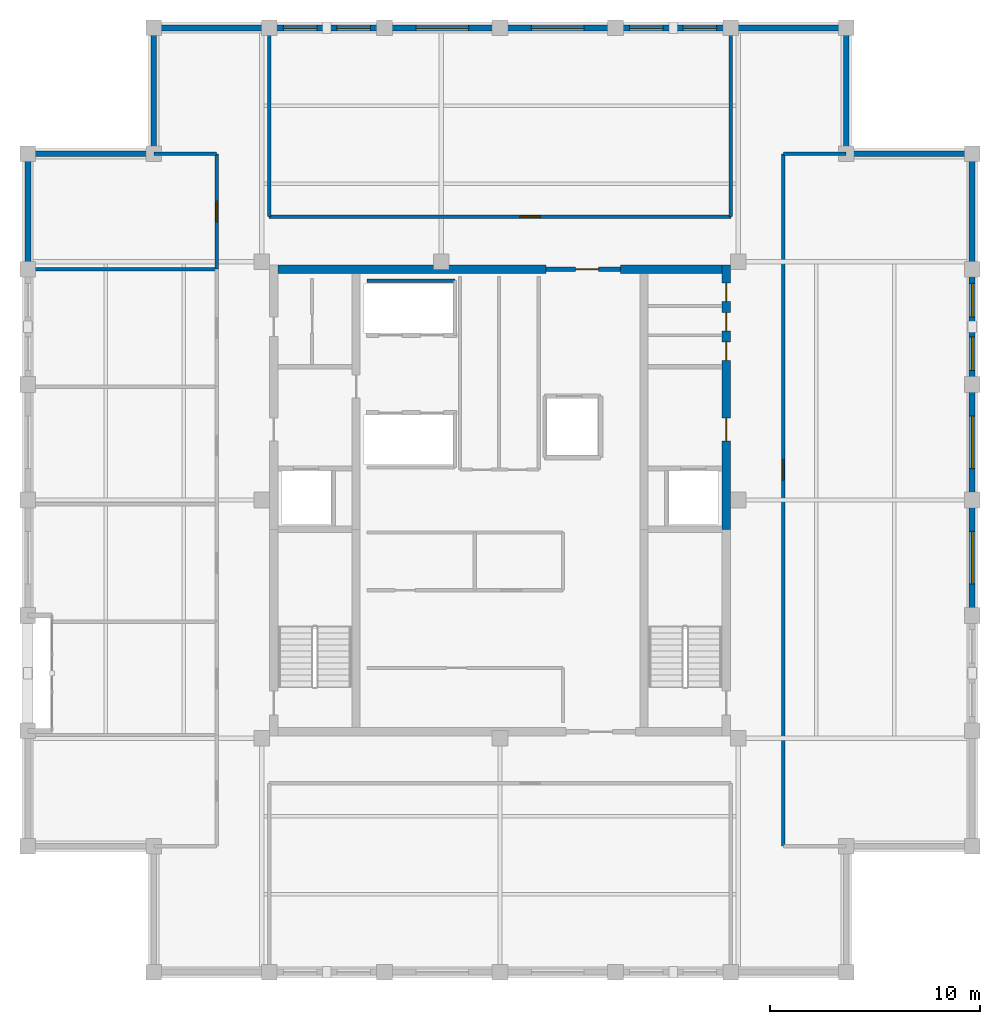
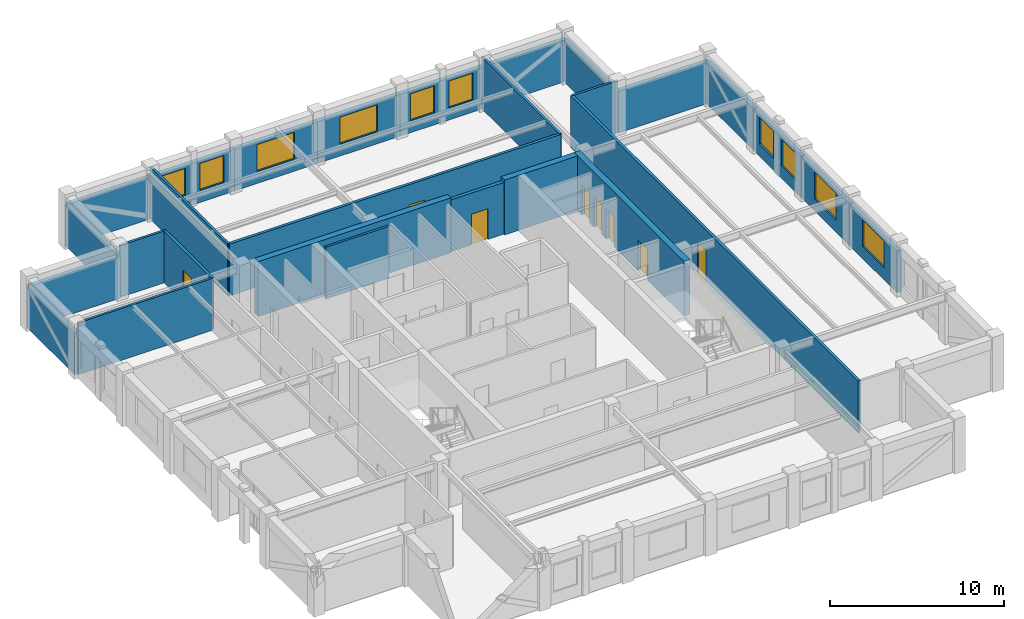
# One storey, part 8 of 10: 28 walls, 10 windows, 8 doors, 18 openings.
"""IFC4 building model written with IfcOpenShell, lengths in metres."""

from ifc_helpers import new_model, si_unit, direction, frame, frame_2d, origin, place, context, subcontext, project, spatial, rectangle, extrude, material, layer, layer_set, type_object, element, fill, save


model = new_model("IFC4")

# Units and contexts
model_context = context("Model", 3, precision=1e-05, world=origin(), true_north=direction((0.0, 1.0)))
body_context = subcontext(model_context, "Body", "Model", "MODEL_VIEW")
ifc_project = project(units=[si_unit("LENGTHUNIT", "METRE"), si_unit("AREAUNIT", "SQUARE_METRE"), si_unit("VOLUMEUNIT", "CUBIC_METRE"), si_unit("PLANEANGLEUNIT", "RADIAN"), si_unit("MASSUNIT", "GRAM", prefix="KILO")], contexts=[model_context])

# Site, building, storey
site_placement = place(None, origin())
site = spatial("IfcSite", under=ifc_project, at=site_placement, CompositionType="ELEMENT")
building_placement = place(site_placement, origin())
building = spatial("IfcBuilding", under=site, at=building_placement, Name="Nhamokura Convention Tower", CompositionType="ELEMENT")
storey_placement = place(building_placement, frame((0.0, 0.0, 304.5)))
storey = spatial("IfcBuildingStorey", under=building, at=storey_placement, Name="L75", CompositionType="ELEMENT", Elevation=304.5)

# Wall
ifc_material_1 = material(Name="Bronze-pigmented precast concrete C45/55", Category="concrete")
ifc_layer_1 = layer(ifc_material_1, 0.280029296875)
ifc_layer_set_1 = layer_set([ifc_layer_1], Name="BronzePrecastSpandrel_280")
wall_type_1 = type_object("IfcWallType", Name="BronzePrecastSpandrel_280", PredefinedType="USERDEFINED", material=ifc_layer_set_1)
wall_1_placement = place(storey_placement, frame((15.5, 54.5, 0.0), z_axis=(0.0, 0.0, 1.0), x_axis=(1.0, 0.0, 0.0)))
element("IfcWall", 1, at=wall_1_placement, inside=storey, type_object=wall_type_1, Name="L75 Braced-Bay Precast Wall NORTH 0", ObjectType="SPANDREL_WALL", PredefinedType="USERDEFINED", context=body_context, shape_type="SweptSolid", body=[
    extrude(rectangle(XDim=5.5, YDim=0.280029296875, at=frame_2d((2.75, 0.0))), origin(), (0.0, 0.0, 1.0), 2.929931640625),
])

# Wall, openings, windows
wall_2_placement = place(storey_placement, frame((21.0, 54.5, 0.0), z_axis=(0.0, 0.0, 1.0), x_axis=(1.0, 0.0, 0.0)))
wall_2 = element("IfcWall", 2, at=wall_2_placement, inside=storey, type_object=wall_type_1, Name="L75 Masonry-Frame Wall NORTH 1", ObjectType="SPANDREL_WALL", PredefinedType="USERDEFINED", context=body_context, shape_type="SweptSolid", body=[
    extrude(rectangle(XDim=5.5, YDim=0.280029296875, at=frame_2d((2.75, 0.0))), origin(), (0.0, 0.0, 1.0), 2.929931640625),
])
opening_1_placement = place(wall_2_placement, frame((0.675048828125, 0.0, 0.85009765625)))
opening_1 = element("IfcOpeningElement", 3, at=opening_1_placement, cuts=wall_2, Name="Opening W-11", PredefinedType="OPENING", context=body_context, shape_type="SweptSolid", body=[
    extrude(rectangle(XDim=1.60009765625, YDim=1.8798828125, at=frame_2d((0.800048828125, 0.93994140625))), frame((0.0, 0.14990234375, 0.0), z_axis=(0.0, -1.0, 0.0), x_axis=(1.0, 0.0, 0.0)), (0.0, 0.0, 1.0), 0.300048828125),
])
opening_2_placement = place(wall_2_placement, frame((3.22509765625, 0.0, 0.85009765625)))
opening_2 = element("IfcOpeningElement", 4, at=opening_2_placement, cuts=wall_2, Name="Opening W-11", PredefinedType="OPENING", context=body_context, shape_type="SweptSolid", body=[
    extrude(rectangle(XDim=1.60009765625, YDim=1.8798828125, at=frame_2d((0.800048828125, 0.93994140625))), frame((0.0, 0.14990234375, 0.0), z_axis=(0.0, -1.0, 0.0), x_axis=(1.0, 0.0, 0.0)), (0.0, 0.0, 1.0), 0.300048828125),
])
ifc_material_2 = material(Name="Solar-control bronze low-E double glass", Category="glass")
window_type_1 = type_object("IfcWindowType", Name="NotchCornerWindow_1600", PartitioningType="SINGLE_PANEL", PredefinedType="WINDOW", material=ifc_material_2)
window_1_placement = place(opening_1_placement, origin())
window_1 = element("IfcWindow", 5, at=window_1_placement, inside=storey, type_object=window_type_1, Name="L75 Facade Window NORTH 1-1", OverallHeight=1.8798828125, OverallWidth=1.60009765625, PartitioningType="SINGLE_PANEL", PredefinedType="WINDOW", context=body_context, shape_type="SweptSolid", body=[
    extrude(rectangle(XDim=1.60009765625, YDim=1.8798828125, at=frame_2d((0.800048828125, 0.93994140625))), frame((0.0, 0.030029296875, 0.0), z_axis=(0.0, -1.0, 0.0), x_axis=(1.0, 0.0, 0.0)), (0.0, 0.0, 1.0), 0.06005859375),
])
fill(opening_1, window_1)
window_2_placement = place(opening_2_placement, origin())
window_2 = element("IfcWindow", 6, at=window_2_placement, inside=storey, type_object=window_type_1, Name="L75 Facade Window NORTH 1-2", OverallHeight=1.8798828125, OverallWidth=1.60009765625, PartitioningType="SINGLE_PANEL", PredefinedType="WINDOW", context=body_context, shape_type="SweptSolid", body=[
    extrude(rectangle(XDim=1.60009765625, YDim=1.8798828125, at=frame_2d((0.800048828125, 0.93994140625))), frame((0.0, 0.030029296875, 0.0), z_axis=(0.0, -1.0, 0.0), x_axis=(1.0, 0.0, 0.0)), (0.0, 0.0, 1.0), 0.06005859375),
])
fill(opening_2, window_2)

# Wall, opening, window
wall_3_placement = place(storey_placement, frame((26.5, 54.5, 0.0), z_axis=(0.0, 0.0, 1.0), x_axis=(1.0, 0.0, 0.0)))
wall_3 = element("IfcWall", 7, at=wall_3_placement, inside=storey, type_object=wall_type_1, Name="L75 Masonry-Frame Wall NORTH 2", ObjectType="SPANDREL_WALL", PredefinedType="USERDEFINED", context=body_context, shape_type="SweptSolid", body=[
    extrude(rectangle(XDim=5.5, YDim=0.280029296875, at=frame_2d((2.75, 0.0))), origin(), (0.0, 0.0, 1.0), 2.929931640625),
])
opening_3_placement = place(wall_3_placement, frame((1.5, 0.0, 0.85009765625)))
opening_3 = element("IfcOpeningElement", 8, at=opening_3_placement, cuts=wall_3, Name="Opening W-09", PredefinedType="OPENING", context=body_context, shape_type="SweptSolid", body=[
    extrude(rectangle(XDim=2.5, YDim=1.8798828125, at=frame_2d((1.25, 0.93994140625))), frame((0.0, 0.14990234375, 0.0), z_axis=(0.0, -1.0, 0.0), x_axis=(1.0, 0.0, 0.0)), (0.0, 0.0, 1.0), 0.300048828125),
])
ifc_material_3 = material(Name="Solar-control bronze low-E double glass", Category="glass")
window_type_2 = type_object("IfcWindowType", Name="SummitWindow_Z4_2500", PartitioningType="DOUBLE_PANEL_VERTICAL", PredefinedType="WINDOW", material=ifc_material_3)
window_3_placement = place(opening_3_placement, origin())
window_3 = element("IfcWindow", 9, at=window_3_placement, inside=storey, type_object=window_type_2, Name="L75 Facade Window NORTH 2", OverallHeight=1.8798828125, OverallWidth=2.5, PartitioningType="SINGLE_PANEL", PredefinedType="WINDOW", context=body_context, shape_type="SweptSolid", body=[
    extrude(rectangle(XDim=2.5, YDim=1.8798828125, at=frame_2d((1.25, 0.93994140625))), frame((0.0, 0.030029296875, 0.0), z_axis=(0.0, -1.0, 0.0), x_axis=(1.0, 0.0, 0.0)), (0.0, 0.0, 1.0), 0.06005859375),
])
fill(opening_3, window_3)

wall_4_placement = place(storey_placement, frame((32.0, 54.5, 0.0), z_axis=(0.0, 0.0, 1.0), x_axis=(1.0, 0.0, 0.0)))
wall_4 = element("IfcWall", 10, at=wall_4_placement, inside=storey, type_object=wall_type_1, Name="L75 Masonry-Frame Wall NORTH 3", ObjectType="SPANDREL_WALL", PredefinedType="USERDEFINED", context=body_context, shape_type="SweptSolid", body=[
    extrude(rectangle(XDim=5.5, YDim=0.280029296875, at=frame_2d((2.75, 0.0))), origin(), (0.0, 0.0, 1.0), 2.929931640625),
])
opening_4_placement = place(wall_4_placement, frame((1.5, 0.0, 0.85009765625)))
opening_4 = element("IfcOpeningElement", 11, at=opening_4_placement, cuts=wall_4, Name="Opening W-09", PredefinedType="OPENING", context=body_context, shape_type="SweptSolid", body=[
    extrude(rectangle(XDim=2.5, YDim=1.8798828125, at=frame_2d((1.25, 0.93994140625))), frame((0.0, 0.14990234375, 0.0), z_axis=(0.0, -1.0, 0.0), x_axis=(1.0, 0.0, 0.0)), (0.0, 0.0, 1.0), 0.300048828125),
])
window_4_placement = place(opening_4_placement, origin())
window_4 = element("IfcWindow", 12, at=window_4_placement, inside=storey, type_object=window_type_2, Name="L75 Facade Window NORTH 3", OverallHeight=1.8798828125, OverallWidth=2.5, PartitioningType="SINGLE_PANEL", PredefinedType="WINDOW", context=body_context, shape_type="SweptSolid", body=[
    extrude(rectangle(XDim=2.5, YDim=1.8798828125, at=frame_2d((1.25, 0.93994140625))), frame((0.0, 0.030029296875, 0.0), z_axis=(0.0, -1.0, 0.0), x_axis=(1.0, 0.0, 0.0)), (0.0, 0.0, 1.0), 0.06005859375),
])
fill(opening_4, window_4)

# Wall, openings, windows
wall_5_placement = place(storey_placement, frame((37.5, 54.5, 0.0), z_axis=(0.0, 0.0, 1.0), x_axis=(1.0, 0.0, 0.0)))
wall_5 = element("IfcWall", 13, at=wall_5_placement, inside=storey, type_object=wall_type_1, Name="L75 Masonry-Frame Wall NORTH 4", ObjectType="SPANDREL_WALL", PredefinedType="USERDEFINED", context=body_context, shape_type="SweptSolid", body=[
    extrude(rectangle(XDim=5.5, YDim=0.280029296875, at=frame_2d((2.75, 0.0))), origin(), (0.0, 0.0, 1.0), 2.929931640625),
])
opening_5_placement = place(wall_5_placement, frame((0.675048828125, 0.0, 0.85009765625)))
opening_5 = element("IfcOpeningElement", 14, at=opening_5_placement, cuts=wall_5, Name="Opening W-11", PredefinedType="OPENING", context=body_context, shape_type="SweptSolid", body=[
    extrude(rectangle(XDim=1.60009765625, YDim=1.8798828125, at=frame_2d((0.800048828125, 0.93994140625))), frame((0.0, 0.14990234375, 0.0), z_axis=(0.0, -1.0, 0.0), x_axis=(1.0, 0.0, 0.0)), (0.0, 0.0, 1.0), 0.300048828125),
])
opening_6_placement = place(wall_5_placement, frame((3.22509765625, 0.0, 0.85009765625)))
opening_6 = element("IfcOpeningElement", 15, at=opening_6_placement, cuts=wall_5, Name="Opening W-11", PredefinedType="OPENING", context=body_context, shape_type="SweptSolid", body=[
    extrude(rectangle(XDim=1.60009765625, YDim=1.8798828125, at=frame_2d((0.800048828125, 0.93994140625))), frame((0.0, 0.14990234375, 0.0), z_axis=(0.0, -1.0, 0.0), x_axis=(1.0, 0.0, 0.0)), (0.0, 0.0, 1.0), 0.300048828125),
])
window_5_placement = place(opening_5_placement, origin())
window_5 = element("IfcWindow", 16, at=window_5_placement, inside=storey, type_object=window_type_1, Name="L75 Facade Window NORTH 4-1", OverallHeight=1.8798828125, OverallWidth=1.60009765625, PartitioningType="SINGLE_PANEL", PredefinedType="WINDOW", context=body_context, shape_type="SweptSolid", body=[
    extrude(rectangle(XDim=1.60009765625, YDim=1.8798828125, at=frame_2d((0.800048828125, 0.93994140625))), frame((0.0, 0.030029296875, 0.0), z_axis=(0.0, -1.0, 0.0), x_axis=(1.0, 0.0, 0.0)), (0.0, 0.0, 1.0), 0.06005859375),
])
fill(opening_5, window_5)
window_6_placement = place(opening_6_placement, origin())
window_6 = element("IfcWindow", 17, at=window_6_placement, inside=storey, type_object=window_type_1, Name="L75 Facade Window NORTH 4-2", OverallHeight=1.8798828125, OverallWidth=1.60009765625, PartitioningType="SINGLE_PANEL", PredefinedType="WINDOW", context=body_context, shape_type="SweptSolid", body=[
    extrude(rectangle(XDim=1.60009765625, YDim=1.8798828125, at=frame_2d((0.800048828125, 0.93994140625))), frame((0.0, 0.030029296875, 0.0), z_axis=(0.0, -1.0, 0.0), x_axis=(1.0, 0.0, 0.0)), (0.0, 0.0, 1.0), 0.06005859375),
])
fill(opening_6, window_6)

# Walls
for number, where, z_axis, x_axis, name in (
    (18, (43.0, 54.5, 0.0), (0.0, 0.0, 1.0), (1.0, 0.0, 0.0), "L75 Braced-Bay Precast Wall NORTH 5"),
    (19, (9.5, 43.0, 0.0), (0.0, 0.0, 1.0), (0.0, 1.0, 0.0), "L75 Braced-Bay Precast Wall WEST 5"),
):
    element("IfcWall", number, at=place(storey_placement, frame(where, z_axis=z_axis, x_axis=x_axis)), inside=storey, type_object=wall_type_1, Name=name, ObjectType="SPANDREL_WALL", PredefinedType="USERDEFINED", context=body_context, shape_type="SweptSolid", body=[
        extrude(rectangle(XDim=5.5, YDim=0.280029296875, at=frame_2d((2.75, 0.0))), origin(), (0.0, 0.0, 1.0), 2.929931640625),
    ])

# Wall, opening, window
wall_6_placement = place(storey_placement, frame((54.5, 32.0, 0.0), z_axis=(0.0, 0.0, 1.0), x_axis=(0.0, -1.0, 0.0)))
wall_6 = element("IfcWall", 20, at=wall_6_placement, inside=storey, type_object=wall_type_1, Name="L75 Masonry-Frame Wall EAST 2", ObjectType="SPANDREL_WALL", PredefinedType="USERDEFINED", context=body_context, shape_type="SweptSolid", body=[
    extrude(rectangle(XDim=5.5, YDim=0.280029296875, at=frame_2d((2.75, 0.0))), origin(), (0.0, 0.0, 1.0), 2.929931640625),
])
opening_7_placement = place(wall_6_placement, frame((1.5, 0.0, 0.85009765625)))
opening_7 = element("IfcOpeningElement", 21, at=opening_7_placement, cuts=wall_6, Name="Opening W-09", PredefinedType="OPENING", context=body_context, shape_type="SweptSolid", body=[
    extrude(rectangle(XDim=2.5, YDim=1.8798828125, at=frame_2d((1.25, 0.93994140625))), frame((0.0, 0.14990234375, 0.0), z_axis=(0.0, -1.0, 0.0), x_axis=(1.0, 0.0, 0.0)), (0.0, 0.0, 1.0), 0.300048828125),
])
window_7_placement = place(opening_7_placement, origin())
window_7 = element("IfcWindow", 22, at=window_7_placement, inside=storey, type_object=window_type_2, Name="L75 Facade Window EAST 2", OverallHeight=1.8798828125, OverallWidth=2.5, PartitioningType="SINGLE_PANEL", PredefinedType="WINDOW", context=body_context, shape_type="SweptSolid", body=[
    extrude(rectangle(XDim=2.5, YDim=1.8798828125, at=frame_2d((1.25, 0.93994140625))), frame((0.0, 0.030029296875, 0.0), z_axis=(0.0, -1.0, 0.0), x_axis=(1.0, 0.0, 0.0)), (0.0, 0.0, 1.0), 0.06005859375),
])
fill(opening_7, window_7)

wall_7_placement = place(storey_placement, frame((54.5, 37.5, 0.0), z_axis=(0.0, 0.0, 1.0), x_axis=(0.0, -1.0, 0.0)))
wall_7 = element("IfcWall", 23, at=wall_7_placement, inside=storey, type_object=wall_type_1, Name="L75 Masonry-Frame Wall EAST 3", ObjectType="SPANDREL_WALL", PredefinedType="USERDEFINED", context=body_context, shape_type="SweptSolid", body=[
    extrude(rectangle(XDim=5.5, YDim=0.280029296875, at=frame_2d((2.75, 0.0))), origin(), (0.0, 0.0, 1.0), 2.929931640625),
])
opening_8_placement = place(wall_7_placement, frame((1.5, 0.0, 0.85009765625)))
opening_8 = element("IfcOpeningElement", 24, at=opening_8_placement, cuts=wall_7, Name="Opening W-09", PredefinedType="OPENING", context=body_context, shape_type="SweptSolid", body=[
    extrude(rectangle(XDim=2.5, YDim=1.8798828125, at=frame_2d((1.25, 0.93994140625))), frame((0.0, 0.14990234375, 0.0), z_axis=(0.0, -1.0, 0.0), x_axis=(1.0, 0.0, 0.0)), (0.0, 0.0, 1.0), 0.300048828125),
])
window_8_placement = place(opening_8_placement, origin())
window_8 = element("IfcWindow", 25, at=window_8_placement, inside=storey, type_object=window_type_2, Name="L75 Facade Window EAST 3", OverallHeight=1.8798828125, OverallWidth=2.5, PartitioningType="SINGLE_PANEL", PredefinedType="WINDOW", context=body_context, shape_type="SweptSolid", body=[
    extrude(rectangle(XDim=2.5, YDim=1.8798828125, at=frame_2d((1.25, 0.93994140625))), frame((0.0, 0.030029296875, 0.0), z_axis=(0.0, -1.0, 0.0), x_axis=(1.0, 0.0, 0.0)), (0.0, 0.0, 1.0), 0.06005859375),
])
fill(opening_8, window_8)

# Wall, openings, windows
wall_8_placement = place(storey_placement, frame((54.5, 43.0, 0.0), z_axis=(0.0, 0.0, 1.0), x_axis=(0.0, -1.0, 0.0)))
wall_8 = element("IfcWall", 26, at=wall_8_placement, inside=storey, type_object=wall_type_1, Name="L75 Masonry-Frame Wall EAST 4", ObjectType="SPANDREL_WALL", PredefinedType="USERDEFINED", context=body_context, shape_type="SweptSolid", body=[
    extrude(rectangle(XDim=5.5, YDim=0.280029296875, at=frame_2d((2.75, 0.0))), origin(), (0.0, 0.0, 1.0), 2.929931640625),
])
opening_9_placement = place(wall_8_placement, frame((0.675048828125, 0.0, 0.85009765625)))
opening_9 = element("IfcOpeningElement", 27, at=opening_9_placement, cuts=wall_8, Name="Opening W-11", PredefinedType="OPENING", context=body_context, shape_type="SweptSolid", body=[
    extrude(rectangle(XDim=1.60009765625, YDim=1.8798828125, at=frame_2d((0.800048828125, 0.93994140625))), frame((0.0, 0.14990234375, 0.0), z_axis=(0.0, -1.0, 0.0), x_axis=(1.0, 0.0, 0.0)), (0.0, 0.0, 1.0), 0.300048828125),
])
opening_10_placement = place(wall_8_placement, frame((3.22509765625, 0.0, 0.85009765625)))
opening_10 = element("IfcOpeningElement", 28, at=opening_10_placement, cuts=wall_8, Name="Opening W-11", PredefinedType="OPENING", context=body_context, shape_type="SweptSolid", body=[
    extrude(rectangle(XDim=1.60009765625, YDim=1.8798828125, at=frame_2d((0.800048828125, 0.93994140625))), frame((0.0, 0.14990234375, 0.0), z_axis=(0.0, -1.0, 0.0), x_axis=(1.0, 0.0, 0.0)), (0.0, 0.0, 1.0), 0.300048828125),
])
window_9_placement = place(opening_9_placement, origin())
window_9 = element("IfcWindow", 29, at=window_9_placement, inside=storey, type_object=window_type_1, Name="L75 Facade Window EAST 4-1", OverallHeight=1.8798828125, OverallWidth=1.60009765625, PartitioningType="SINGLE_PANEL", PredefinedType="WINDOW", context=body_context, shape_type="SweptSolid", body=[
    extrude(rectangle(XDim=1.60009765625, YDim=1.8798828125, at=frame_2d((0.800048828125, 0.93994140625))), frame((0.0, 0.030029296875, 0.0), z_axis=(0.0, -1.0, 0.0), x_axis=(1.0, 0.0, 0.0)), (0.0, 0.0, 1.0), 0.06005859375),
])
fill(opening_9, window_9)
window_10_placement = place(opening_10_placement, origin())
window_10 = element("IfcWindow", 30, at=window_10_placement, inside=storey, type_object=window_type_1, Name="L75 Facade Window EAST 4-2", OverallHeight=1.8798828125, OverallWidth=1.60009765625, PartitioningType="SINGLE_PANEL", PredefinedType="WINDOW", context=body_context, shape_type="SweptSolid", body=[
    extrude(rectangle(XDim=1.60009765625, YDim=1.8798828125, at=frame_2d((0.800048828125, 0.93994140625))), frame((0.0, 0.030029296875, 0.0), z_axis=(0.0, -1.0, 0.0), x_axis=(1.0, 0.0, 0.0)), (0.0, 0.0, 1.0), 0.06005859375),
])
fill(opening_10, window_10)

# Walls
wall_9_placement = place(storey_placement, frame((54.5, 48.5, 0.0), z_axis=(0.0, 0.0, 1.0), x_axis=(0.0, -1.0, 0.0)))
element("IfcWall", 31, at=wall_9_placement, inside=storey, type_object=wall_type_1, Name="L75 Braced-Bay Precast Wall EAST 5", ObjectType="SPANDREL_WALL", PredefinedType="USERDEFINED", context=body_context, shape_type="SweptSolid", body=[
    extrude(rectangle(XDim=5.5, YDim=0.280029296875, at=frame_2d((2.75, 0.0))), origin(), (0.0, 0.0, 1.0), 2.929931640625),
])
for number, where, z_axis, x_axis, name in (
    (32, (48.5, 48.5, 0.0), (0.0, 0.0, 1.0), (1.0, 0.0, 0.0), "L75 Notched Corner Wall NE1"),
    (33, (48.5, 54.5, 0.0), (0.0, 0.0, 1.0), (0.0, -1.0, 0.0), "L75 Notched Corner Wall NE2"),
    (34, (15.5, 48.5, 0.0), (0.0, 0.0, 1.0), (0.0, 1.0, 0.0), "L75 Notched Corner Wall NW1"),
    (35, (9.5, 48.5, 0.0), (0.0, 0.0, 1.0), (1.0, 0.0, 0.0), "L75 Notched Corner Wall NW2"),
):
    element("IfcWall", number, at=place(storey_placement, frame(where, z_axis=z_axis, x_axis=x_axis)), inside=storey, type_object=wall_type_1, Name=name, ObjectType="SPANDREL_WALL", PredefinedType="USERDEFINED", context=body_context, shape_type="SweptSolid", body=[
        extrude(rectangle(XDim=6.0, YDim=0.280029296875, at=frame_2d((3.0, 0.0))), origin(), (0.0, 0.0, 1.0), 2.929931640625),
    ])

# Wall, openings, doors
ifc_material_4 = material(Name="Concrete C50/60", Category="concrete")
ifc_layer_2 = layer(ifc_material_4, 0.39990234375)
ifc_layer_set_2 = layer_set([ifc_layer_2], Name="CoreShearWall_400")
wall_type_2 = type_object("IfcWallType", Name="CoreShearWall_400", PredefinedType="SHEAR", material=ifc_layer_set_2)
wall_10_placement = place(storey_placement, frame((42.7900390625, 30.60009765625, 0.0), z_axis=(0.0, 0.0, 1.0), x_axis=(0.0, 1.0, 0.0)))
wall_10 = element("IfcWall", 36, at=wall_10_placement, inside=storey, type_object=wall_type_2, Name="L75 Core Shear Wall CW-EN", PredefinedType="SHEAR", context=body_context, shape_type="SweptSolid", body=[
    extrude(rectangle(XDim=12.599853515625, YDim=0.39990234375, at=frame_2d((6.2998046875, 0.0))), origin(), (0.0, 0.0, 1.0), 3.85009765625),
])
opening_11_placement = place(wall_10_placement, frame((4.199951171875, 0.0, 0.0)))
opening_11 = element("IfcOpeningElement", 37, at=opening_11_placement, cuts=wall_10, Name="Opening D-05", PredefinedType="OPENING", context=body_context, shape_type="SweptSolid", body=[
    extrude(rectangle(XDim=1.10009765625, YDim=2.14990234375, at=frame_2d((0.550048828125, 1.074951171875))), frame((0.0, 0.2099609375, 0.0), z_axis=(0.0, -1.0, 0.0), x_axis=(1.0, 0.0, 0.0)), (0.0, 0.0, 1.0), 0.419921875),
])
opening_12_placement = place(wall_10_placement, frame((8.050048828125, 0.0, 0.0)))
opening_12 = element("IfcOpeningElement", 38, at=opening_12_placement, cuts=wall_10, Name="Opening D-11", PredefinedType="OPENING", context=body_context, shape_type="SweptSolid", body=[
    extrude(rectangle(XDim=0.8798828125, YDim=2.10009765625, at=frame_2d((0.43994140625, 1.050048828125))), frame((0.0, 0.2099609375, 0.0), z_axis=(0.0, -1.0, 0.0), x_axis=(1.0, 0.0, 0.0)), (0.0, 0.0, 1.0), 0.419921875),
])
opening_13_placement = place(wall_10_placement, frame((9.449951171875, 0.0, 0.0)))
opening_13 = element("IfcOpeningElement", 39, at=opening_13_placement, cuts=wall_10, Name="Opening D-11", PredefinedType="OPENING", context=body_context, shape_type="SweptSolid", body=[
    extrude(rectangle(XDim=0.8798828125, YDim=2.10009765625, at=frame_2d((0.43994140625, 1.050048828125))), frame((0.0, 0.2099609375, 0.0), z_axis=(0.0, -1.0, 0.0), x_axis=(1.0, 0.0, 0.0)), (0.0, 0.0, 1.0), 0.419921875),
])
opening_14_placement = place(wall_10_placement, frame((10.85009765625, 0.0, 0.0)))
opening_14 = element("IfcOpeningElement", 40, at=opening_14_placement, cuts=wall_10, Name="Opening D-11", PredefinedType="OPENING", context=body_context, shape_type="SweptSolid", body=[
    extrude(rectangle(XDim=0.8798828125, YDim=2.10009765625, at=frame_2d((0.43994140625, 1.050048828125))), frame((0.0, 0.2099609375, 0.0), z_axis=(0.0, -1.0, 0.0), x_axis=(1.0, 0.0, 0.0)), (0.0, 0.0, 1.0), 0.419921875),
])
ifc_material_5 = material(Name="Solid oak hardwood", Category="wood")
door_type_1 = type_object("IfcDoorType", Name="BathroomDoor_880", OperationType="NOTDEFINED", PredefinedType="DOOR", material=ifc_material_5)
door_1_placement = place(opening_12_placement, origin())
door_1 = element("IfcDoor", 41, at=door_1_placement, inside=storey, type_object=door_type_1, Name="L75 Core Door INT-L75-D-MWC", OperationType="SINGLE_SWING_LEFT", OverallHeight=2.10009765625, OverallWidth=0.8798828125, PredefinedType="DOOR", context=body_context, shape_type="SweptSolid", body=[
    extrude(rectangle(XDim=0.8798828125, YDim=2.10009765625, at=frame_2d((0.43994140625, 1.050048828125))), frame((0.0, 0.02490234375, 0.0), z_axis=(0.0, -1.0, 0.0), x_axis=(1.0, 0.0, 0.0)), (0.0, 0.0, 1.0), 0.050048828125),
])
fill(opening_12, door_1)
door_2_placement = place(opening_13_placement, origin())
door_2 = element("IfcDoor", 42, at=door_2_placement, inside=storey, type_object=door_type_1, Name="L75 Core Door INT-L75-D-FWC", OperationType="SINGLE_SWING_RIGHT", OverallHeight=2.10009765625, OverallWidth=0.8798828125, PredefinedType="DOOR", context=body_context, shape_type="SweptSolid", body=[
    extrude(rectangle(XDim=0.8798828125, YDim=2.10009765625, at=frame_2d((0.43994140625, 1.050048828125))), frame((0.0, 0.02490234375, 0.0), z_axis=(0.0, -1.0, 0.0), x_axis=(1.0, 0.0, 0.0)), (0.0, 0.0, 1.0), 0.050048828125),
])
fill(opening_13, door_2)
door_3_placement = place(opening_14_placement, origin())
door_3 = element("IfcDoor", 43, at=door_3_placement, inside=storey, type_object=door_type_1, Name="L75 Core Door INT-L75-D-ARC", OperationType="SINGLE_SWING_LEFT", OverallHeight=2.10009765625, OverallWidth=0.8798828125, PredefinedType="DOOR", context=body_context, shape_type="SweptSolid", body=[
    extrude(rectangle(XDim=0.8798828125, YDim=2.10009765625, at=frame_2d((0.43994140625, 1.050048828125))), frame((0.0, 0.02490234375, 0.0), z_axis=(0.0, -1.0, 0.0), x_axis=(1.0, 0.0, 0.0)), (0.0, 0.0, 1.0), 0.050048828125),
])
fill(opening_14, door_3)
ifc_material_6 = material(Name="Fire-rated steel door", Category="steel")
door_type_2 = type_object("IfcDoorType", Name="FireLobbyDoor_1100", OperationType="NOTDEFINED", PredefinedType="DOOR", material=ifc_material_6)
door_4_placement = place(opening_11_placement, origin())
door_4 = element("IfcDoor", 44, at=door_4_placement, inside=storey, type_object=door_type_2, Name="L75 Core Door INT-L75-D-FFLE", OperationType="SINGLE_SWING_LEFT", OverallHeight=2.14990234375, OverallWidth=1.10009765625, PredefinedType="DOOR", context=body_context, shape_type="SweptSolid", body=[
    extrude(rectangle(XDim=1.10009765625, YDim=2.14990234375, at=frame_2d((0.550048828125, 1.074951171875))), frame((0.0, 0.02490234375, 0.0), z_axis=(0.0, -1.0, 0.0), x_axis=(1.0, 0.0, 0.0)), (0.0, 0.0, 1.0), 0.050048828125),
])
fill(opening_11, door_4)

# Walls
wall_11_placement = place(storey_placement, frame((21.409912109375, 43.0, 0.0), z_axis=(0.0, 0.0, 1.0), x_axis=(1.0, 0.0, 0.0)))
element("IfcWall", 45, at=wall_11_placement, inside=storey, type_object=wall_type_2, Name="L75 Core Shear Wall CW-N1", PredefinedType="SHEAR", context=body_context, shape_type="SweptSolid", body=[
    extrude(rectangle(XDim=12.7900390625, YDim=0.39990234375, at=frame_2d((6.39501953125, 0.0))), origin(), (0.0, 0.0, 1.0), 3.85009765625),
])
wall_12_placement = place(storey_placement, frame((37.75, 43.0, 0.0), z_axis=(0.0, 0.0, 1.0), x_axis=(1.0, 0.0, 0.0)))
element("IfcWall", 46, at=wall_12_placement, inside=storey, type_object=wall_type_2, Name="L75 Core Shear Wall CW-N2", PredefinedType="SHEAR", context=body_context, shape_type="SweptSolid", body=[
    extrude(rectangle(XDim=4.840087890625, YDim=0.39990234375, at=frame_2d((2.419921875, 0.0))), origin(), (0.0, 0.0, 1.0), 3.85009765625),
])

# Wall, opening, door
ifc_material_7 = material(Name="Fire-rated gypsum and masonry partition", Category="masonry")
ifc_layer_3 = layer(ifc_material_7, 0.179931640625)
ifc_layer_set_3 = layer_set([ifc_layer_3], Name="CorridorRatedWall_180")
wall_type_3 = type_object("IfcWallType", Name="CorridorRatedWall_180", PredefinedType="STANDARD", material=ifc_layer_set_3)
wall_13_placement = place(storey_placement, frame((21.0, 45.5, 0.0), z_axis=(0.0, 0.0, 1.0), x_axis=(1.0, 0.0, 0.0)))
wall_13 = element("IfcWall", 47, at=wall_13_placement, inside=storey, type_object=wall_type_3, Name="L75 Wall INT-L75-CW-N00", PredefinedType="STANDARD", context=body_context, shape_type="SweptSolid", body=[
    extrude(rectangle(XDim=22.0, YDim=0.179931640625, at=frame_2d((11.0, 0.0))), origin(), (0.0, 0.0, 1.0), 3.6298828125),
])
opening_15_placement = place(wall_13_placement, frame((11.949951171875, 0.0, 0.0)))
opening_15 = element("IfcOpeningElement", 48, at=opening_15_placement, cuts=wall_13, Name="Opening D-08", PredefinedType="OPENING", context=body_context, shape_type="SweptSolid", body=[
    extrude(rectangle(XDim=0.97998046875, YDim=2.199951171875, at=frame_2d((0.489990234375, 1.10009765625))), frame((0.0, 0.099853515625, 0.0), z_axis=(0.0, -1.0, 0.0), x_axis=(1.0, 0.0, 0.0)), (0.0, 0.0, 1.0), 0.199951171875),
])
ifc_material_8 = material(Name="Solid oak hardwood", Category="wood")
door_type_3 = type_object("IfcDoorType", Name="OfficeEntryDoor_980", OperationType="NOTDEFINED", PredefinedType="DOOR", material=ifc_material_8)
door_5_placement = place(opening_15_placement, origin())
door_5 = element("IfcDoor", 49, at=door_5_placement, inside=storey, type_object=door_type_3, Name="L75 Executive Suite N01 Door", OperationType="SINGLE_SWING_LEFT", OverallHeight=2.199951171875, OverallWidth=0.97998046875, PredefinedType="DOOR", context=body_context, shape_type="SweptSolid", body=[
    extrude(rectangle(XDim=0.97998046875, YDim=2.199951171875, at=frame_2d((0.489990234375, 1.10009765625))), frame((0.0, 0.02490234375, 0.0), z_axis=(0.0, -1.0, 0.0), x_axis=(1.0, 0.0, 0.0)), (0.0, 0.0, 1.0), 0.050048828125),
])
fill(opening_15, door_5)

wall_14_placement = place(storey_placement, frame((18.5, 43.0, 0.0), z_axis=(0.0, 0.0, 1.0), x_axis=(0.0, 1.0, 0.0)))
wall_14 = element("IfcWall", 50, at=wall_14_placement, inside=storey, type_object=wall_type_3, Name="L75 Wall INT-L75-CW-W05", PredefinedType="STANDARD", context=body_context, shape_type="SweptSolid", body=[
    extrude(rectangle(XDim=5.5, YDim=0.179931640625, at=frame_2d((2.75, 0.0))), origin(), (0.0, 0.0, 1.0), 3.6298828125),
])
opening_16_placement = place(wall_14_placement, frame((2.25, 0.0, 0.0)))
opening_16 = element("IfcOpeningElement", 51, at=opening_16_placement, cuts=wall_14, Name="Opening D-08", PredefinedType="OPENING", context=body_context, shape_type="SweptSolid", body=[
    extrude(rectangle(XDim=0.97998046875, YDim=2.199951171875, at=frame_2d((0.489990234375, 1.10009765625))), frame((0.0, 0.099853515625, 0.0), z_axis=(0.0, -1.0, 0.0), x_axis=(1.0, 0.0, 0.0)), (0.0, 0.0, 1.0), 0.199951171875),
])
door_6_placement = place(opening_16_placement, origin())
door_6 = element("IfcDoor", 52, at=door_6_placement, inside=storey, type_object=door_type_3, Name="L75 Broadcast Studio W06 Door", OperationType="SINGLE_SWING_RIGHT", OverallHeight=2.199951171875, OverallWidth=0.97998046875, PredefinedType="DOOR", context=body_context, shape_type="SweptSolid", body=[
    extrude(rectangle(XDim=0.97998046875, YDim=2.199951171875, at=frame_2d((0.489990234375, 1.10009765625))), frame((0.0, 0.02490234375, 0.0), z_axis=(0.0, -1.0, 0.0), x_axis=(1.0, 0.0, 0.0)), (0.0, 0.0, 1.0), 0.050048828125),
])
fill(opening_16, door_6)

wall_15_placement = place(storey_placement, frame((45.5, 15.5, 0.0), z_axis=(0.0, 0.0, 1.0), x_axis=(0.0, 1.0, 0.0)))
wall_15 = element("IfcWall", 53, at=wall_15_placement, inside=storey, type_object=wall_type_3, Name="L75 Wall INT-L75-CW-E00", PredefinedType="STANDARD", context=body_context, shape_type="SweptSolid", body=[
    extrude(rectangle(XDim=33.0, YDim=0.179931640625, at=frame_2d((16.5, 0.0))), origin(), (0.0, 0.0, 1.0), 3.6298828125),
])
opening_17_placement = place(wall_15_placement, frame((17.449951171875, 0.0, 0.0)))
opening_17 = element("IfcOpeningElement", 54, at=opening_17_placement, cuts=wall_15, Name="Opening D-08", PredefinedType="OPENING", context=body_context, shape_type="SweptSolid", body=[
    extrude(rectangle(XDim=0.97998046875, YDim=2.199951171875, at=frame_2d((0.489990234375, 1.10009765625))), frame((0.0, 0.099853515625, 0.0), z_axis=(0.0, -1.0, 0.0), x_axis=(1.0, 0.0, 0.0)), (0.0, 0.0, 1.0), 0.199951171875),
])
door_7_placement = place(opening_17_placement, origin())
door_7 = element("IfcDoor", 55, at=door_7_placement, inside=storey, type_object=door_type_3, Name="L75 Private Office E01 Door", OperationType="SINGLE_SWING_LEFT", OverallHeight=2.199951171875, OverallWidth=0.97998046875, PredefinedType="DOOR", context=body_context, shape_type="SweptSolid", body=[
    extrude(rectangle(XDim=0.97998046875, YDim=2.199951171875, at=frame_2d((0.489990234375, 1.10009765625))), frame((0.0, 0.02490234375, 0.0), z_axis=(0.0, -1.0, 0.0), x_axis=(1.0, 0.0, 0.0)), (0.0, 0.0, 1.0), 0.050048828125),
])
fill(opening_17, door_7)

ifc_material_9 = material(Name="Autoclaved concrete blockwork", Category="masonry")
ifc_layer_4 = layer(ifc_material_9, 0.219970703125)
ifc_layer_set_4 = layer_set([ifc_layer_4], Name="FireLobbyWall_220")
wall_type_4 = type_object("IfcWallType", Name="FireLobbyWall_220", PredefinedType="STANDARD", material=ifc_layer_set_4)
wall_16_placement = place(storey_placement, frame((34.199951171875, 43.0, 0.0), z_axis=(0.0, 0.0, 1.0), x_axis=(1.0, 0.0, 0.0)))
wall_16 = element("IfcWall", 56, at=wall_16_placement, inside=storey, type_object=wall_type_4, Name="L75 Wall INT-L75-CPORT-N", PredefinedType="STANDARD", context=body_context, shape_type="SweptSolid", body=[
    extrude(rectangle(XDim=3.550048828125, YDim=0.219970703125, at=frame_2d((1.77490234375, 0.0))), origin(), (0.0, 0.0, 1.0), 3.6298828125),
])
opening_18_placement = place(wall_16_placement, frame((1.39990234375, 0.0, 0.0)))
opening_18 = element("IfcOpeningElement", 57, at=opening_18_placement, cuts=wall_16, Name="Opening D-05", PredefinedType="OPENING", context=body_context, shape_type="SweptSolid", body=[
    extrude(rectangle(XDim=1.10009765625, YDim=2.14990234375, at=frame_2d((0.550048828125, 1.074951171875))), frame((0.0, 0.119873046875, 0.0), z_axis=(0.0, -1.0, 0.0), x_axis=(1.0, 0.0, 0.0)), (0.0, 0.0, 1.0), 0.239990234375),
])
door_8_placement = place(opening_18_placement, origin())
door_8 = element("IfcDoor", 58, at=door_8_placement, inside=storey, type_object=door_type_2, Name="L75 North Core Lobby Portal Door", OperationType="SINGLE_SWING_RIGHT", OverallHeight=2.14990234375, OverallWidth=1.10009765625, PredefinedType="DOOR", context=body_context, shape_type="SweptSolid", body=[
    extrude(rectangle(XDim=1.10009765625, YDim=2.14990234375, at=frame_2d((0.550048828125, 1.074951171875))), frame((0.0, 0.02490234375, 0.0), z_axis=(0.0, -1.0, 0.0), x_axis=(1.0, 0.0, 0.0)), (0.0, 0.0, 1.0), 0.050048828125),
])
fill(opening_18, door_8)

# Walls
ifc_material_10 = material(Name="Acoustic gypsum stud partition", Category="masonry")
ifc_layer_5 = layer(ifc_material_10, 0.14990234375)
ifc_layer_set_5 = layer_set([ifc_layer_5], Name="InteriorPartition_150")
wall_type_5 = type_object("IfcWallType", Name="InteriorPartition_150", PredefinedType="STANDARD", material=ifc_layer_set_5)
wall_17_placement = place(storey_placement, frame((25.64990234375, 42.449951171875, 0.0), z_axis=(0.0, 0.0, 1.0), x_axis=(1.0, 0.0, 0.0)))
element("IfcWall", 59, at=wall_17_placement, inside=storey, type_object=wall_type_5, Name="L75 Wall INT-L75-B3B-N", PredefinedType="STANDARD", context=body_context, shape_type="SweptSolid", body=[
    extrude(rectangle(XDim=4.2001953125, YDim=0.14990234375, at=frame_2d((2.10009765625, 0.0))), origin(), (0.0, 0.0, 1.0), 3.6298828125),
])
for number, where, z_axis, x_axis, name in (
    (60, (21.0, 45.5, 0.0), (0.0, 0.0, 1.0), (0.0, 1.0, 0.0), "L75 Wall INT-L75-RWL-N"),
    (61, (43.0, 45.5, 0.0), (0.0, 0.0, 1.0), (0.0, 1.0, 0.0), "L75 Wall INT-L75-RWR-N"),
    (62, (9.56005859375, 43.0, 0.0), (0.0, 0.0, 1.0), (1.0, 0.0, 0.0), "L75 Wall INT-L75-RW-W05"),
):
    element("IfcWall", number, at=place(storey_placement, frame(where, z_axis=z_axis, x_axis=x_axis)), inside=storey, type_object=wall_type_5, Name=name, PredefinedType="STANDARD", context=body_context, shape_type="SweptSolid", body=[
        extrude(rectangle(XDim=8.93994140625, YDim=0.14990234375, at=frame_2d((4.469970703125, 0.0))), origin(), (0.0, 0.0, 1.0), 3.6298828125),
    ])
for number, where, z_axis, x_axis, name in (
    (63, (15.5, 48.5, 0.0), (0.0, 0.0, 1.0), (1.0, 0.0, 0.0), "L75 Wall INT-L75-VSTP-WN"),
    (64, (45.5, 48.5, 0.0), (0.0, 0.0, 1.0), (1.0, 0.0, 0.0), "L75 Wall INT-L75-VSTP-EN"),
):
    element("IfcWall", number, at=place(storey_placement, frame(where, z_axis=z_axis, x_axis=x_axis)), inside=storey, type_object=wall_type_5, Name=name, PredefinedType="STANDARD", context=body_context, shape_type="SweptSolid", body=[
        extrude(rectangle(XDim=3.0, YDim=0.14990234375, at=frame_2d((1.5, 0.0))), origin(), (0.0, 0.0, 1.0), 3.6298828125),
    ])

save(model, "model.ifc")
